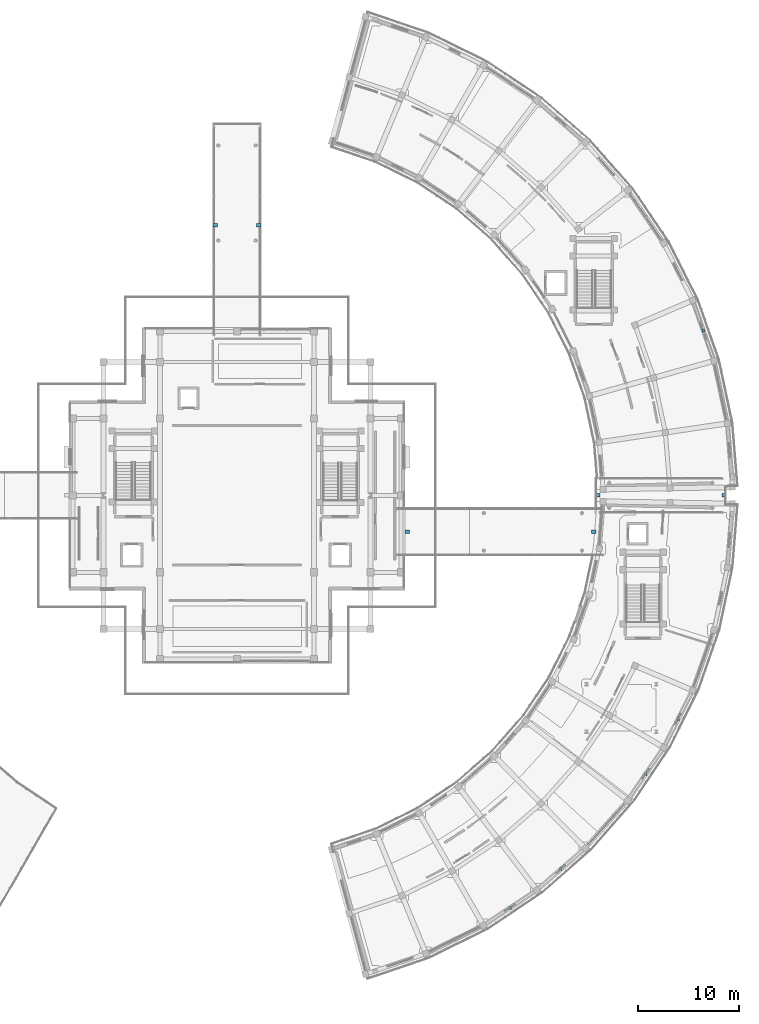
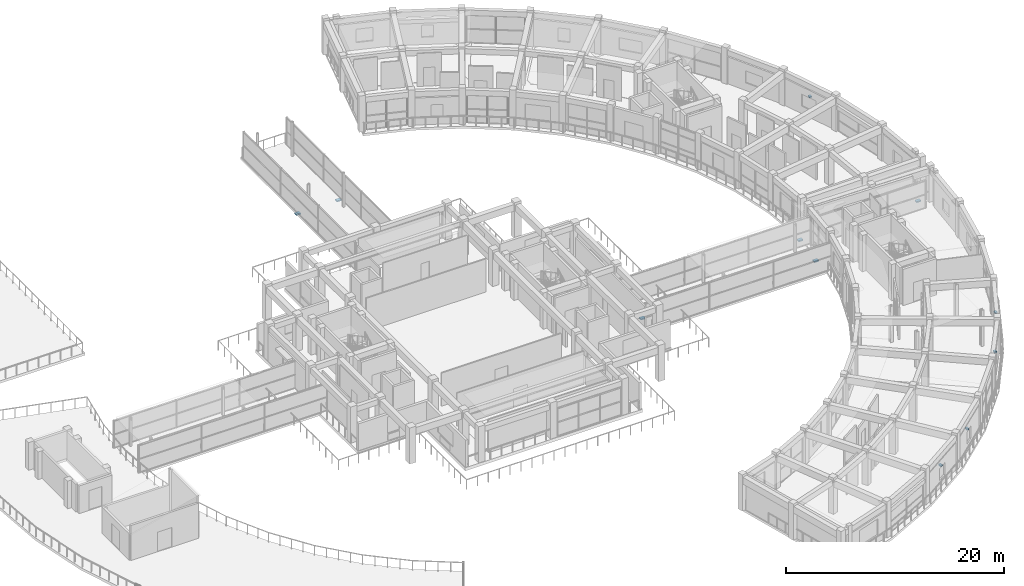
# One storey, part 41 of 53: 11 discrete accessories.
"""IFC4 building model written with IfcOpenShell, lengths in metres."""

from ifc_helpers import new_model, si_unit, direction, frame, origin, origin_2d, place, context, subcontext, project, spatial, rectangle, extrude, material, type_object, element, save


model = new_model("IFC4")

# Units and contexts
model_context = context("Model", 3, precision=1e-05, world=origin(), true_north=direction((0.0, 1.0)))
body_context = subcontext(model_context, "Body", "Model", "MODEL_VIEW")
ifc_project = project(units=[si_unit("LENGTHUNIT", "METRE"), si_unit("AREAUNIT", "SQUARE_METRE"), si_unit("VOLUMEUNIT", "CUBIC_METRE"), si_unit("PLANEANGLEUNIT", "RADIAN"), si_unit("MASSUNIT", "GRAM", prefix="KILO")], contexts=[model_context])

# Site, building, storey
site_placement = place(None, origin())
site = spatial("IfcSite", under=ifc_project, at=site_placement, CompositionType="ELEMENT")
building_placement = place(site_placement, origin())
building = spatial("IfcBuilding", under=site, at=building_placement, Name="Saryqyr Civic Hall", CompositionType="ELEMENT")
storey_placement = place(building_placement, frame((0.0, 0.0, 21.300048828125)))
storey = spatial("IfcBuildingStorey", under=building, at=storey_placement, Name="L05", CompositionType="ELEMENT", Elevation=21.300048828125)

# Discrete accessories
ifc_material_1 = material(Name="Painted galvanized steel", Category="steel")
discrete_accessory_type_1 = type_object("IfcDiscreteAccessoryType", Name="ENV-BRK-FIN", PredefinedType="BRACKET", material=ifc_material_1)
for number, where, z_axis, x_axis, name in (
    (1, (83.997314453125, 43.230712890625, 2.16015625), (0.0, 0.0, 1.0), (1.0, 0.0, 0.0), "Solar fin steel bracket V5-L05-02"),
    (2, (89.026611328125, 47.05029296875, 2.16015625), (0.0, 0.0, 1.0), (1.0, 0.0, 0.0), "Solar fin steel bracket V5-L05-03"),
    (3, (97.40771484375, 56.464111328125, 2.16015625), (0.0, 0.0, 1.0), (1.0, 0.0, 0.0), "Solar fin steel bracket V5-L05-05"),
    (4, (100.619384765625, 61.90185546875, 2.16015625), (0.0, 0.0, 1.0), (1.0, 0.0, 0.0), "Solar fin steel bracket V5-L05-06"),
    (5, (103.103759765625, 100.292236328125, 2.16015625), (0.0, 0.0, 1.0), (1.0, 0.0, 0.0), "Solar fin steel bracket V6-L05-02"),
):
    element("IfcDiscreteAccessory", number, at=place(storey_placement, frame(where, z_axis=z_axis, x_axis=x_axis)), inside=storey, type_object=discrete_accessory_type_1, Name=name, PredefinedType="BRACKET", context=body_context, shape_type="SweptSolid", body=[
        extrude(rectangle(XDim=0.239990234375, YDim=0.300048828125, at=origin_2d()), origin(), (0.0, 0.0, 1.0), 0.159912109375),
    ])
ifc_material_2 = material(Name="Steel S355", Category="steel")
discrete_accessory_type_2 = type_object("IfcDiscreteAccessoryType", Name="STR-ACC-PTFE-BRG", PredefinedType="BRACKET", material=ifc_material_2)
for number, where, z_axis, x_axis, name in (
    (6, (92.64990234375, 84.0, -0.35986328125), (0.0, 0.0, 1.0), (1.0, 0.0, 0.0), "Unguided PTFE sliding bridge bearing BR-E L05 1"),
    (7, (105.14990234375, 84.0, -0.35986328125), (0.0, 0.0, 1.0), (1.0, 0.0, 0.0), "Unguided PTFE sliding bridge bearing BR-E L05 2"),
    (8, (73.85009765625, 80.39990234375, -0.35986328125), (0.0, 0.0, 1.0), (1.0, 0.0, 0.0), "Unguided PTFE sliding bridge bearing BR-CE L05 1"),
    (9, (92.247802734375, 80.39990234375, -0.35986328125), (0.0, 0.0, 1.0), (1.0, 0.0, 0.0), "Unguided PTFE sliding bridge bearing BR-CE L05 2"),
    (10, (54.85009765625, 110.699951171875, -0.35986328125), (0.0, 0.0, 1.0), (1.0, 0.0, 0.0), "Unguided PTFE sliding bridge bearing BR-CN L05 1"),
    (11, (59.14990234375, 110.699951171875, -0.35986328125), (0.0, 0.0, 1.0), (1.0, 0.0, 0.0), "Unguided PTFE sliding bridge bearing BR-CN L05 2"),
):
    element("IfcDiscreteAccessory", number, at=place(storey_placement, frame(where, z_axis=z_axis, x_axis=x_axis)), inside=storey, type_object=discrete_accessory_type_2, Name=name, PredefinedType="BRACKET", context=body_context, shape_type="SweptSolid", body=[
        extrude(rectangle(XDim=0.449951171875, YDim=0.35009765625, at=origin_2d()), origin(), (0.0, 0.0, 1.0), 0.139892578125),
    ])

save(model, "model.ifc")
